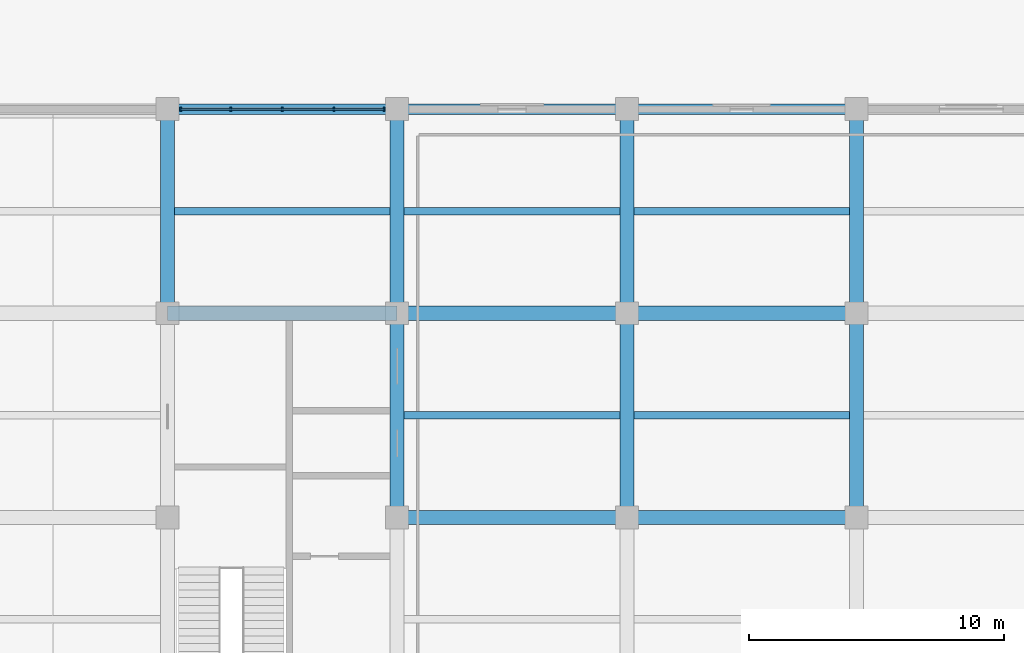
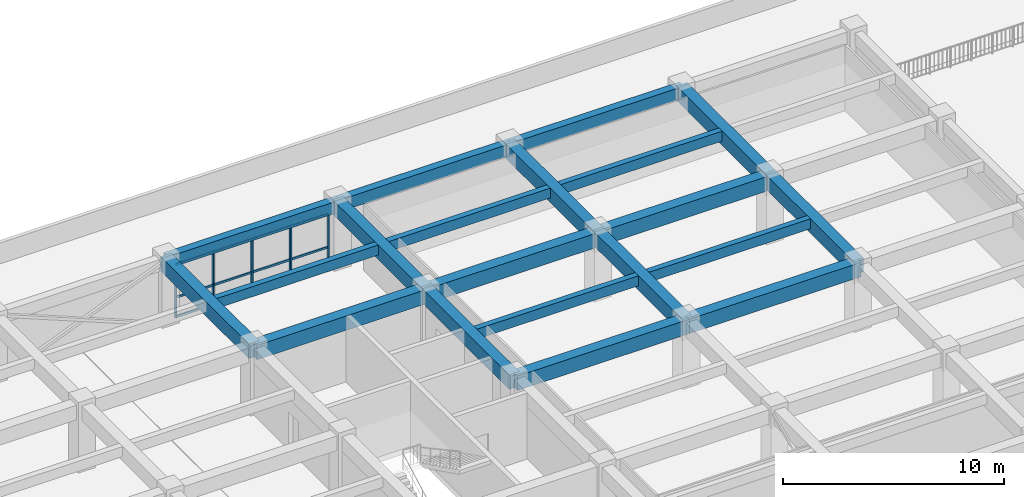
# One storey, part 10 of 34: 20 beams, 8 members, 1 element without a shape of its own.
"""IFC4 building model written with IfcOpenShell, lengths in metres."""

from ifc_helpers import new_model, si_unit, direction, frame, origin, origin_2d, place, context, subcontext, project, spatial, rectangle, extrude, material, material_profile, profile_set, type_object, element, aggregate, save


model = new_model("IFC4")

# Units and contexts
model_context = context("Model", 3, precision=1e-05, world=origin(), true_north=direction((0.0, 1.0)))
body_context = subcontext(model_context, "Body", "Model", "MODEL_VIEW")
ifc_project = project(units=[si_unit("LENGTHUNIT", "METRE"), si_unit("AREAUNIT", "SQUARE_METRE"), si_unit("VOLUMEUNIT", "CUBIC_METRE"), si_unit("PLANEANGLEUNIT", "RADIAN"), si_unit("MASSUNIT", "GRAM", prefix="KILO")], contexts=[model_context])

# Site, building, storey
site_placement = place(None, origin())
site = spatial("IfcSite", under=ifc_project, at=site_placement, CompositionType="ELEMENT")
building_placement = place(site_placement, origin())
building = spatial("IfcBuilding", under=site, at=building_placement, Name="Zaverband Oceanarium and Marine Research Institute", CompositionType="ELEMENT")
storey_placement = place(building_placement, frame((0.0, 0.0, 18.0)))
storey = spatial("IfcBuildingStorey", under=building, at=storey_placement, Name="L04", CompositionType="ELEMENT", Elevation=18.0)

# Beams
ifc_material_1 = material(Name="Concrete C40/50", Category="concrete")
ifc_material_profile_1 = material_profile(ifc_material_1, rectangle(XDim=0.550048828125, YDim=0.800048828125, at=origin_2d()), Name="RC550x800")
ifc_profile_set_1 = profile_set([ifc_material_profile_1], Name="Concrete C40/50")
beam_type_1 = type_object("IfcBeamType", Name="BM-550x800", PredefinedType="BEAM", material=ifc_profile_set_1)
for number, where, z_axis, x_axis, name in (
    (1, (45.0, 96.0, 3.25), (1.0, 0.0, 0.0), (0.0, 1.0, 0.0), "Primary floor girder BM-550x800"),
    (2, (54.0, 96.0, 3.25), (1.0, 0.0, 0.0), (0.0, 1.0, 0.0), "Primary floor girder BM-550x800"),
    (3, (36.0, 104.0, 3.25), (1.0, 0.0, 0.0), (0.0, 1.0, 0.0), "Primary floor girder BM-550x800"),
    (4, (45.0, 104.0, 3.25), (1.0, 0.0, 0.0), (0.0, 1.0, 0.0), "Primary floor girder BM-550x800"),
    (5, (54.0, 104.0, 3.25), (1.0, 0.0, 0.0), (0.0, 1.0, 0.0), "Primary floor girder BM-550x800"),
):
    element("IfcBeam", number, at=place(storey_placement, frame(where, z_axis=z_axis, x_axis=x_axis)), inside=storey, type_object=beam_type_1, Name=name, PredefinedType="BEAM", context=body_context, shape_type="SweptSolid", body=[
        extrude(rectangle(XDim=0.550048828125, YDim=0.800048828125, at=origin_2d()), origin(), (0.0, 0.0, 1.0), 9.0),
    ])
for number, where, z_axis, x_axis, name in (
    (6, (36.0, 104.0, 3.25), (0.0, 1.0, 0.0), (-1.0, 0.0, 0.0), "Primary floor girder BM-550x800"),
    (7, (45.0, 96.0, 3.25), (0.0, 1.0, 0.0), (-1.0, 0.0, 0.0), "Primary floor girder BM-550x800"),
    (8, (45.0, 104.0, 3.25), (0.0, 1.0, 0.0), (-1.0, 0.0, 0.0), "Primary floor girder BM-550x800"),
    (9, (54.0, 96.0, 3.25), (0.0, 1.0, 0.0), (-1.0, 0.0, 0.0), "Primary floor girder BM-550x800"),
    (10, (54.0, 104.0, 3.25), (0.0, 1.0, 0.0), (-1.0, 0.0, 0.0), "Primary floor girder BM-550x800"),
    (11, (63.0, 96.0, 3.25), (0.0, 1.0, 0.0), (-1.0, 0.0, 0.0), "Primary floor girder BM-550x800"),
    (12, (63.0, 104.0, 3.25), (0.0, 1.0, 0.0), (-1.0, 0.0, 0.0), "Primary floor girder BM-550x800"),
):
    element("IfcBeam", number, at=place(storey_placement, frame(where, z_axis=z_axis, x_axis=x_axis)), inside=storey, type_object=beam_type_1, Name=name, PredefinedType="BEAM", context=body_context, shape_type="SweptSolid", body=[
        extrude(rectangle(XDim=0.550048828125, YDim=0.800048828125, at=origin_2d()), origin(), (0.0, 0.0, 1.0), 8.0),
    ])
ifc_material_profile_2 = material_profile(ifc_material_1, rectangle(XDim=0.300048828125, YDim=0.550048828125, at=origin_2d()), Name="RC300x550")
ifc_profile_set_2 = profile_set([ifc_material_profile_2], Name="Concrete C40/50")
beam_type_2 = type_object("IfcBeamType", Name="JST-300x550", PredefinedType="JOIST", material=ifc_profile_set_2)
for number, where, z_axis, x_axis, name in (
    (13, (36.27490234375, 108.0, 3.375), (1.0, 0.0, 0.0), (0.0, 1.0, 0.0), "Secondary floor joist JST-300x550"),
    (14, (45.27490234375, 100.0, 3.375), (1.0, 0.0, 0.0), (0.0, 1.0, 0.0), "Secondary floor joist JST-300x550"),
    (15, (45.27490234375, 108.0, 3.375), (1.0, 0.0, 0.0), (0.0, 1.0, 0.0), "Secondary floor joist JST-300x550"),
    (16, (54.27490234375, 100.0, 3.375), (1.0, 0.0, 0.0), (0.0, 1.0, 0.0), "Secondary floor joist JST-300x550"),
    (17, (54.27490234375, 108.0, 3.375), (1.0, 0.0, 0.0), (0.0, 1.0, 0.0), "Secondary floor joist JST-300x550"),
):
    element("IfcBeam", number, at=place(storey_placement, frame(where, z_axis=z_axis, x_axis=x_axis)), inside=storey, type_object=beam_type_2, Name=name, PredefinedType="JOIST", context=body_context, shape_type="SweptSolid", body=[
        extrude(rectangle(XDim=0.300048828125, YDim=0.550048828125, at=origin_2d()), origin(), (0.0, 0.0, 1.0), 8.4501953125),
    ])

# Curtain wall, members
ifc_material_2 = material(Name="Thermally broken anodized aluminium and solar-control glass", Category="aluminium")
curtain_wall_type = type_object("IfcCurtainWallType", Name="CW-UNIT-1800", PredefinedType="NOTDEFINED", material=ifc_material_2)
curtain_wall_placement = place(storey_placement, origin())
curtain_wall = element("IfcCurtainWall", 18, at=curtain_wall_placement, inside=storey, type_object=curtain_wall_type, Name="Unitised glazed curtain wall CW-063", PredefinedType="NOTDEFINED")
ifc_material_3 = material(Name="Thermally broken anodized aluminium", Category="aluminium")
ifc_material_profile_3 = material_profile(ifc_material_3, rectangle(XDim=0.070068359375, YDim=0.14990234375, at=origin_2d()), Name="AL-MUL-70x150")
ifc_profile_set_3 = profile_set([ifc_material_profile_3], Name="Thermally broken anodized aluminium")
member_type_1 = type_object("IfcMemberType", Name="MUL-70x150", PredefinedType="MULLION", material=ifc_profile_set_3)
member_1_placement = place(storey_placement, frame((36.514892578125, 112.0, 0.0), z_axis=(0.0, 0.0, 1.0), x_axis=(1.0, 0.0, 0.0)))
member_1 = element("IfcMember", 19, at=member_1_placement, type_object=member_type_1, Name="Curtain wall vertical mullion MUL-70x150", PredefinedType="MULLION", context=body_context, shape_type="SweptSolid", body=[
    extrude(rectangle(XDim=0.070068359375, YDim=0.14990234375, at=origin_2d()), origin(), (0.0, 0.0, 1.0), 2.97998046875),
])
member_2_placement = place(storey_placement, frame((38.4775390625, 112.0, 0.0), z_axis=(0.0, 0.0, 1.0), x_axis=(1.0, 0.0, 0.0)))
member_2 = element("IfcMember", 20, at=member_2_placement, type_object=member_type_1, Name="Curtain wall vertical mullion MUL-70x150", PredefinedType="MULLION", context=body_context, shape_type="SweptSolid", body=[
    extrude(rectangle(XDim=0.070068359375, YDim=0.14990234375, at=origin_2d()), origin(), (0.0, 0.0, 1.0), 2.97998046875),
])
member_3_placement = place(storey_placement, frame((40.5, 112.0, 0.0), z_axis=(0.0, 0.0, 1.0), x_axis=(1.0, 0.0, 0.0)))
member_3 = element("IfcMember", 21, at=member_3_placement, type_object=member_type_1, Name="Curtain wall vertical mullion MUL-70x150", PredefinedType="MULLION", context=body_context, shape_type="SweptSolid", body=[
    extrude(rectangle(XDim=0.070068359375, YDim=0.14990234375, at=origin_2d()), origin(), (0.0, 0.0, 1.0), 2.97998046875),
])
member_4_placement = place(storey_placement, frame((42.5224609375, 112.0, 0.0), z_axis=(0.0, 0.0, 1.0), x_axis=(1.0, 0.0, 0.0)))
member_4 = element("IfcMember", 22, at=member_4_placement, type_object=member_type_1, Name="Curtain wall vertical mullion MUL-70x150", PredefinedType="MULLION", context=body_context, shape_type="SweptSolid", body=[
    extrude(rectangle(XDim=0.070068359375, YDim=0.14990234375, at=origin_2d()), origin(), (0.0, 0.0, 1.0), 2.97998046875),
])
member_5_placement = place(storey_placement, frame((44.485107421875, 112.0, 0.0), z_axis=(0.0, 0.0, 1.0), x_axis=(1.0, 0.0, 0.0)))
member_5 = element("IfcMember", 23, at=member_5_placement, type_object=member_type_1, Name="Curtain wall vertical mullion MUL-70x150", PredefinedType="MULLION", context=body_context, shape_type="SweptSolid", body=[
    extrude(rectangle(XDim=0.070068359375, YDim=0.14990234375, at=origin_2d()), origin(), (0.0, 0.0, 1.0), 2.97998046875),
])

# Beams
ifc_material_profile_4 = material_profile(ifc_material_1, rectangle(XDim=0.39990234375, YDim=0.64990234375, at=origin_2d()), Name="RC400x650")
ifc_profile_set_4 = profile_set([ifc_material_profile_4], Name="Concrete C40/50")
beam_type_3 = type_object("IfcBeamType", Name="SPN-400x650", PredefinedType="SPANDREL", material=ifc_profile_set_4)
for number, where, z_axis, x_axis, name in (
    (24, (36.0, 112.0, 3.324951171875), (1.0, 0.0, 0.0), (0.0, 1.0, 0.0), "Perimeter spandrel beam SPN-400x650"),
    (25, (45.0, 112.0, 3.324951171875), (1.0, 0.0, 0.0), (0.0, 1.0, 0.0), "Perimeter spandrel beam SPN-400x650"),
    (26, (54.0, 112.0, 3.324951171875), (1.0, 0.0, 0.0), (0.0, 1.0, 0.0), "Perimeter spandrel beam SPN-400x650"),
):
    element("IfcBeam", number, at=place(storey_placement, frame(where, z_axis=z_axis, x_axis=x_axis)), inside=storey, type_object=beam_type_3, Name=name, PredefinedType="SPANDREL", context=body_context, shape_type="SweptSolid", body=[
        extrude(rectangle(XDim=0.39990234375, YDim=0.64990234375, at=origin_2d()), origin(), (0.0, 0.0, 1.0), 9.0),
    ])

# Member
ifc_material_profile_5 = material_profile(ifc_material_3, rectangle(XDim=0.070068359375, YDim=0.114990234375, at=origin_2d()), Name="AL-TRN-70x115")
ifc_profile_set_5 = profile_set([ifc_material_profile_5], Name="Thermally broken anodized aluminium")
member_type_2 = type_object("IfcMemberType", Name="TRN-70x115", PredefinedType="USERDEFINED", material=ifc_profile_set_5)
member_6_placement = place(storey_placement, frame((36.514892578125, 112.0, 0.050048828125), z_axis=(1.0, 0.0, 0.0), x_axis=(0.0, 1.0, 0.0)))
member_6 = element("IfcMember", 27, at=member_6_placement, type_object=member_type_2, Name="Curtain wall horizontal transom TRN-70x115", ObjectType="TRANSOM", PredefinedType="USERDEFINED", context=body_context, shape_type="SweptSolid", body=[
    extrude(rectangle(XDim=0.070068359375, YDim=0.114990234375, at=origin_2d()), origin(), (0.0, 0.0, 1.0), 7.97021484375),
])

member_7_placement = place(storey_placement, frame((36.514892578125, 112.0, 1.123046875), z_axis=(1.0, 0.0, 0.0), x_axis=(0.0, 1.0, 0.0)))
member_7 = element("IfcMember", 28, at=member_7_placement, type_object=member_type_2, Name="Curtain wall horizontal transom TRN-70x115", ObjectType="TRANSOM", PredefinedType="USERDEFINED", context=body_context, shape_type="SweptSolid", body=[
    extrude(rectangle(XDim=0.070068359375, YDim=0.114990234375, at=origin_2d()), origin(), (0.0, 0.0, 1.0), 7.97021484375),
])

member_8_placement = place(storey_placement, frame((36.514892578125, 112.0, 2.929931640625), z_axis=(1.0, 0.0, 0.0), x_axis=(0.0, 1.0, 0.0)))
member_8 = element("IfcMember", 29, at=member_8_placement, type_object=member_type_2, Name="Curtain wall horizontal transom TRN-70x115", ObjectType="TRANSOM", PredefinedType="USERDEFINED", context=body_context, shape_type="SweptSolid", body=[
    extrude(rectangle(XDim=0.070068359375, YDim=0.114990234375, at=origin_2d()), origin(), (0.0, 0.0, 1.0), 7.97021484375),
])

aggregate(curtain_wall, [member_1, member_2, member_3, member_4, member_5, member_6, member_7, member_8])

save(model, "model.ifc")
